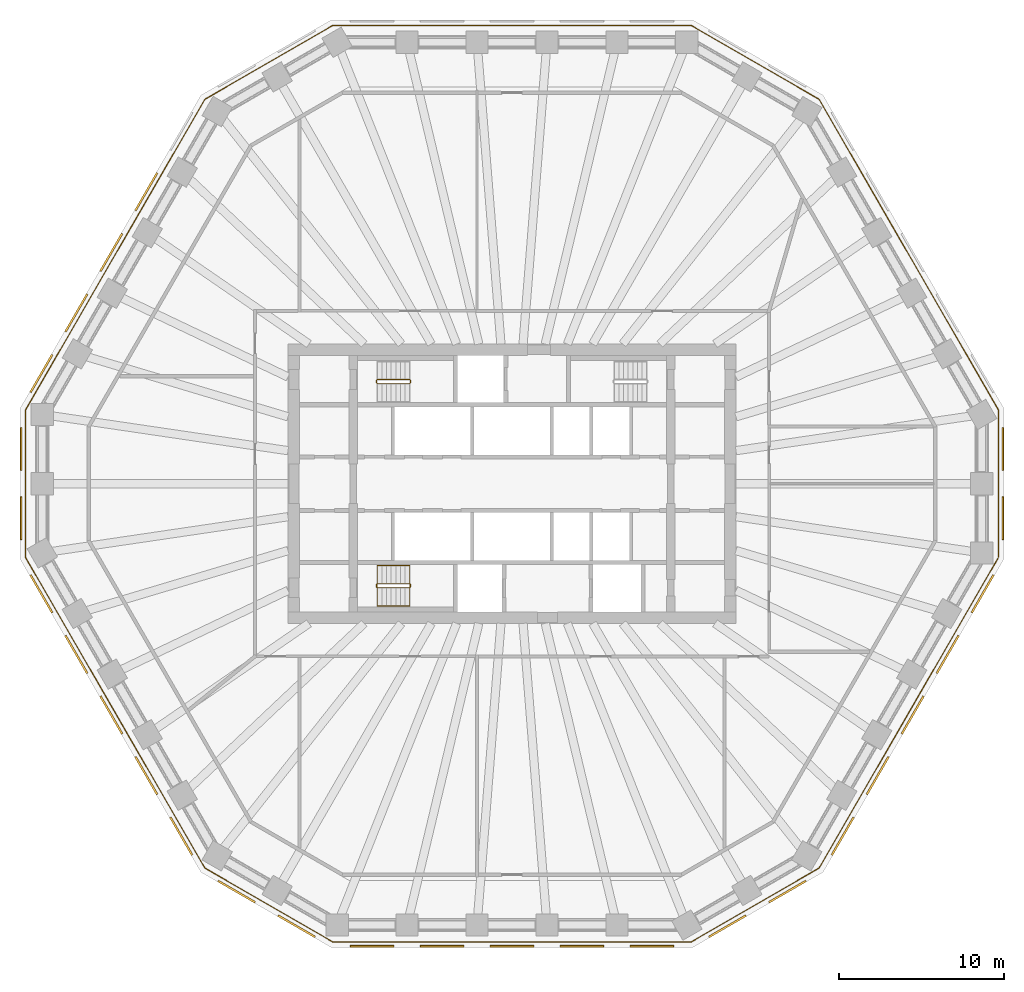
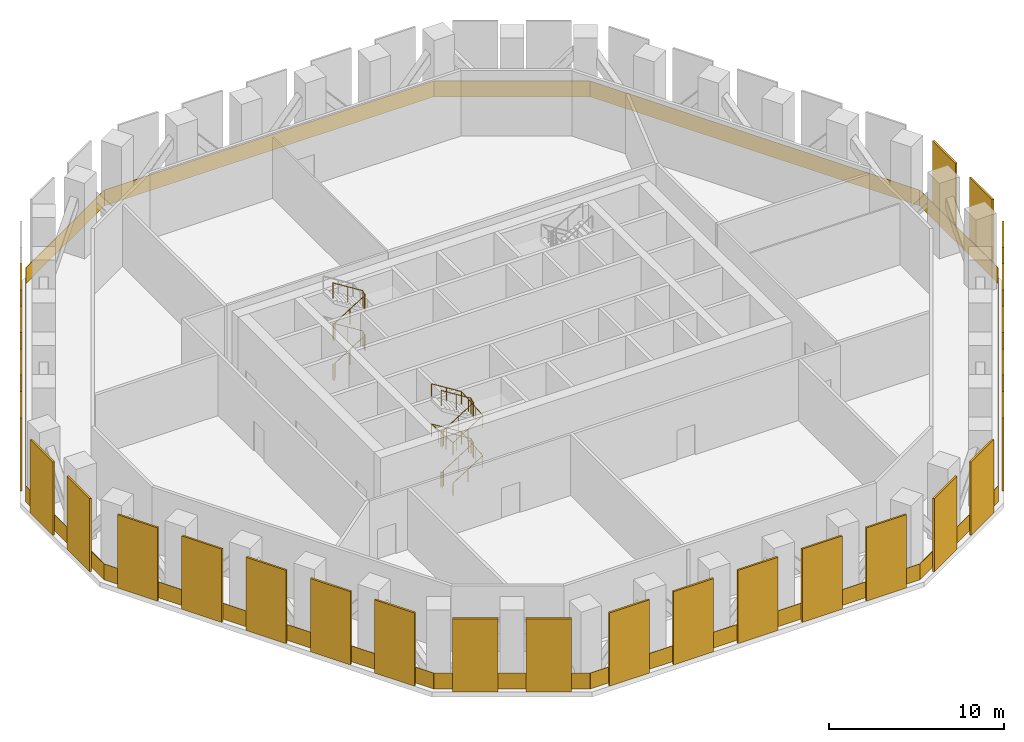
# One storey, part 7 of 8: 27 coverings, 4 railings.
"""IFC4 building model written with IfcOpenShell, lengths in metres."""

from ifc_helpers import new_model, si_unit, direction, frame, origin, origin_2d, place, context, subcontext, project, spatial, polyline, rectangle, circle, outline, extrude, material, layer, layer_set, type_object, element, save


model = new_model("IFC4")

# Units and contexts
model_context = context("Model", 3, precision=1e-05, world=origin(), true_north=direction((0.0, 1.0)))
body_context = subcontext(model_context, "Body", "Model", "MODEL_VIEW")
ifc_project = project(units=[si_unit("LENGTHUNIT", "METRE"), si_unit("AREAUNIT", "SQUARE_METRE"), si_unit("VOLUMEUNIT", "CUBIC_METRE"), si_unit("PLANEANGLEUNIT", "RADIAN"), si_unit("MASSUNIT", "GRAM", prefix="KILO")], contexts=[model_context])

# Site, building, storey
site_placement = place(None, origin())
site = spatial("IfcSite", under=ifc_project, at=site_placement, CompositionType="ELEMENT")
building_placement = place(site_placement, origin())
building = spatial("IfcBuilding", under=site, at=building_placement, Name="Frailejon Research Tower", CompositionType="ELEMENT")
storey_placement = place(building_placement, frame((0.0, 0.0, 139.60009765625)))
storey = spatial("IfcBuildingStorey", under=building, at=storey_placement, Name="L30", CompositionType="ELEMENT", Elevation=139.60009765625)

# Railing
ifc_material_1 = material(Name="Laminated glass balustrade", Category="glass")
railing_type_1 = type_object("IfcRailingType", Name="Glass guard 1100", PredefinedType="GUARDRAIL", material=ifc_material_1)
railing_1_placement = place(storey_placement, frame((29.427490234375, -4.45947265625, 0.0)))
element("IfcRailing", 1, at=railing_1_placement, inside=storey, type_object=railing_type_1, Name="Plant gallery guard L30", PredefinedType="GUARDRAIL", context=body_context, shape_type="SweptSolid", body=[
    extrude(rectangle(XDim=8.9189453125, YDim=0.030029296875, at=origin_2d()), frame((0.0, 4.45947265625, 0.0), z_axis=(0.0, 0.0, 1.0), x_axis=(0.0, 1.0, 0.0)), (0.0, 0.0, 1.0), 1.10009765625),
    extrude(rectangle(XDim=21.70361328125, YDim=0.030029296875, at=origin_2d()), frame((-5.42578125, 18.31689453125, 0.0), z_axis=(0.0, 0.0, 1.0), x_axis=(-0.499999641238, 0.866025610916, 0.0)), (0.0, 0.0, 1.0), 1.10009765625),
    extrude(rectangle(XDim=8.918701171875, YDim=0.030029296875, at=origin_2d()), frame((-14.7138671875, 29.9443359375, 0.0), z_axis=(0.0, 0.0, 1.0), x_axis=(-0.866032876802, 0.49998705613, 0.0)), (0.0, 0.0, 1.0), 1.10009765625),
    extrude(rectangle(XDim=21.70361328125, YDim=0.030029296875, at=origin_2d()), frame((-29.427490234375, 32.174072265625, 0.0), z_axis=(0.0, 0.0, 1.0), x_axis=(-1.0, 0.0, 0.0)), (0.0, 0.0, 1.0), 1.10009765625),
    extrude(rectangle(XDim=8.918701171875, YDim=0.030029296875, at=origin_2d()), frame((-44.14111328125, 29.9443359375, 0.0), z_axis=(0.0, 0.0, 1.0), x_axis=(-0.866032876802, -0.49998705613, 0.0)), (0.0, 0.0, 1.0), 1.10009765625),
    extrude(rectangle(XDim=21.70361328125, YDim=0.030029296875, at=origin_2d()), frame((-53.42919921875, 18.31689453125, 0.0), z_axis=(0.0, 0.0, 1.0), x_axis=(-0.499999641238, -0.866025610916, 0.0)), (0.0, 0.0, 1.0), 1.10009765625),
    extrude(rectangle(XDim=8.9189453125, YDim=0.030029296875, at=origin_2d()), frame((-58.85498046875, 4.45947265625, 0.0), z_axis=(0.0, 0.0, 1.0), x_axis=(0.0, -1.0, 0.0)), (0.0, 0.0, 1.0), 1.10009765625),
    extrude(rectangle(XDim=21.70361328125, YDim=0.030029296875, at=origin_2d()), frame((-53.42919921875, -9.39794921875, 0.0), z_axis=(0.0, 0.0, 1.0), x_axis=(0.499999641238, -0.866025610916, 0.0)), (0.0, 0.0, 1.0), 1.10009765625),
    extrude(rectangle(XDim=8.918701171875, YDim=0.030029296875, at=origin_2d()), frame((-44.14111328125, -21.025390625, 0.0), z_axis=(0.0, 0.0, 1.0), x_axis=(0.866032876802, -0.49998705613, 0.0)), (0.0, 0.0, 1.0), 1.10009765625),
    extrude(rectangle(XDim=21.70361328125, YDim=0.030029296875, at=origin_2d()), frame((-29.427490234375, -23.255126953125, 0.0), z_axis=(0.0, 0.0, 1.0), x_axis=(1.0, 0.0, 0.0)), (0.0, 0.0, 1.0), 1.10009765625),
    extrude(rectangle(XDim=8.918701171875, YDim=0.030029296875, at=origin_2d()), frame((-14.7138671875, -21.025390625, 0.0), z_axis=(0.0, 0.0, 1.0), x_axis=(0.866032876802, 0.49998705613, 0.0)), (0.0, 0.0, 1.0), 1.10009765625),
    extrude(rectangle(XDim=21.6337890625, YDim=0.030029296875, at=origin_2d()), frame((-5.443359375, -9.42822265625, 0.0), z_axis=(0.0, 0.0, 1.0), x_axis=(0.500001187841, 0.866024717983, 0.0)), (0.0, 0.0, 1.0), 1.10009765625),
])

# Coverings
ifc_material_2 = material(Name="Anodised aluminium louvres", Category="aluminium")
ifc_layer = layer(ifc_material_2, 0.1201171875)
ifc_layer_set = layer_set([ifc_layer], Name="Plant louvre screen 120")
covering_type = type_object("IfcCoveringType", Name="Plant louvre screen 120", PredefinedType="CLADDING", material=ifc_layer_set)
for number, where, z_axis, x_axis, name in (
    (2, (29.7626953125, -0.800048828125, 0.0), (0.0, -1.0, 0.0), (1.0, 0.0, 0.0), "Plant louvre screen L30"),
    (3, (29.7626953125, 3.3876953125, 0.0), (0.0, -1.0, 0.0), (1.0, 0.0, 0.0), "Plant louvre screen L30"),
):
    element("IfcCovering", number, at=place(storey_placement, frame(where, z_axis=z_axis, x_axis=x_axis)), inside=storey, type_object=covering_type, Name=name, PredefinedType="CLADDING", context=body_context, shape_type="SweptSolid", body=[
        extrude(outline(polyline([(-0.1201171875, 0.0), (0.0, 0.0), (0.0, 5.10009765625), (-0.1201171875, 5.10009765625), (-0.1201171875, 0.0)])), origin(), (0.0, 0.0, 1.0), 2.587646484375),
    ])
for number, where, z_axis, x_axis, name in (
    (4, (-22.833984375, 16.55029296875, 0.0), (0.500001996169, 0.866024251293, 0.0), (-0.866024251293, 0.500001996169, 0.0), "Plant louvre screen L30"),
    (5, (-24.949951171875, 12.88525390625, 0.0), (0.500001996169, 0.866024251293, 0.0), (-0.866024251293, 0.500001996169, 0.0), "Plant louvre screen L30"),
):
    element("IfcCovering", number, at=place(storey_placement, frame(where, z_axis=z_axis, x_axis=x_axis)), inside=storey, type_object=covering_type, Name=name, PredefinedType="CLADDING", context=body_context, shape_type="SweptSolid", body=[
        extrude(outline(polyline([(-0.1201171875, 0.0), (0.0, 0.0), (0.0, 5.10009765625), (-0.1201171875, 5.10009765625), (-0.1201171875, 0.0)])), origin(), (0.0, 0.0, 1.0), 2.632080078125),
    ])
for number, where, z_axis, x_axis, name in (
    (6, (-27.06591796875, 9.22021484375, 0.0), (0.499984274002, 0.866034483003, 0.0), (-0.866034483003, 0.499984274002, 0.0), "Plant louvre screen L30"),
    (7, (-29.181884765625, 5.555419921875, 0.0), (0.500012227926, 0.866018343873, 0.0), (-0.866018343873, 0.500012227926, 0.0), "Plant louvre screen L30"),
):
    element("IfcCovering", number, at=place(storey_placement, frame(where, z_axis=z_axis, x_axis=x_axis)), inside=storey, type_object=covering_type, Name=name, PredefinedType="CLADDING", context=body_context, shape_type="SweptSolid", body=[
        extrude(outline(polyline([(-0.1201171875, 0.0), (0.0, 0.0), (0.0, 5.10009765625), (-0.1201171875, 5.10009765625), (-0.1201171875, 0.0)])), origin(), (0.0, 0.0, 1.0), 2.6318359375),
    ])
for number, where, z_axis, x_axis, name in (
    (8, (-29.7626953125, 0.800048828125, 0.0), (0.0, 1.0, 0.0), (-1.0, 0.0, 0.0), "Plant louvre screen L30"),
    (9, (-29.7626953125, -3.3876953125, 0.0), (0.0, 1.0, 0.0), (-1.0, 0.0, 0.0), "Plant louvre screen L30"),
):
    element("IfcCovering", number, at=place(storey_placement, frame(where, z_axis=z_axis, x_axis=x_axis)), inside=storey, type_object=covering_type, Name=name, PredefinedType="CLADDING", context=body_context, shape_type="SweptSolid", body=[
        extrude(outline(polyline([(-0.1201171875, 0.0), (0.0, 0.0), (0.0, 5.10009765625), (-0.1201171875, 5.10009765625), (-0.1201171875, 0.0)])), origin(), (0.0, 0.0, 1.0), 2.587646484375),
    ])
for number, where, z_axis, x_axis, name in (
    (10, (-27.865966796875, -7.834716796875, 0.0), (-0.500012227926, 0.866018343873, 0.0), (-0.866018343873, -0.500012227926, 0.0), "Plant louvre screen L30"),
    (11, (-25.75, -11.499755859375, 0.0), (-0.499984274002, 0.866034483003, 0.0), (-0.866034483003, -0.499984274002, 0.0), "Plant louvre screen L30"),
):
    element("IfcCovering", number, at=place(storey_placement, frame(where, z_axis=z_axis, x_axis=x_axis)), inside=storey, type_object=covering_type, Name=name, PredefinedType="CLADDING", context=body_context, shape_type="SweptSolid", body=[
        extrude(outline(polyline([(-0.1201171875, 0.0), (0.0, 0.0), (0.0, 5.10009765625), (-0.1201171875, 5.10009765625), (-0.1201171875, 0.0)])), origin(), (0.0, 0.0, 1.0), 2.6318359375),
    ])
for number, where, z_axis, x_axis, name in (
    (12, (-23.634033203125, -15.164794921875, 0.0), (-0.500001996169, 0.866024251293, 0.0), (-0.866024251293, -0.500001996169, 0.0), "Plant louvre screen L30"),
    (13, (-21.51806640625, -18.82958984375, 0.0), (-0.500001996169, 0.866024251293, 0.0), (-0.866024251293, -0.500001996169, 0.0), "Plant louvre screen L30"),
):
    element("IfcCovering", number, at=place(storey_placement, frame(where, z_axis=z_axis, x_axis=x_axis)), inside=storey, type_object=covering_type, Name=name, PredefinedType="CLADDING", context=body_context, shape_type="SweptSolid", body=[
        extrude(outline(polyline([(-0.1201171875, 0.0), (0.0, 0.0), (0.0, 5.10009765625), (-0.1201171875, 5.10009765625), (-0.1201171875, 0.0)])), origin(), (0.0, 0.0, 1.0), 2.632080078125),
    ])
covering_1_placement = place(storey_placement, frame((-19.402099609375, -22.49462890625, 0.0), z_axis=(-0.500012227926, 0.866018343873, 0.0), x_axis=(-0.866018343873, -0.500012227926, 0.0)))
element("IfcCovering", 14, at=covering_1_placement, inside=storey, type_object=covering_type, Name="Plant louvre screen L30", PredefinedType="CLADDING", context=body_context, shape_type="SweptSolid", body=[
    extrude(outline(polyline([(-0.1201171875, 0.0), (0.0, 0.0), (0.0, 5.10009765625), (-0.1201171875, 5.10009765625), (-0.1201171875, 0.0)])), origin(), (0.0, 0.0, 1.0), 2.6318359375),
])
for number, where, z_axis, x_axis, name in (
    (15, (-15.57421875, -25.375244140625, 0.0), (-0.866021344981, 0.500007029989, 0.0), (-0.500007029989, -0.866021344981, 0.0), "Plant louvre screen L30"),
    (16, (-11.94775390625, -27.468994140625, 0.0), (-0.866021344981, 0.500007029989, 0.0), (-0.500007029989, -0.866021344981, 0.0), "Plant louvre screen L30"),
):
    element("IfcCovering", number, at=place(storey_placement, frame(where, z_axis=z_axis, x_axis=x_axis)), inside=storey, type_object=covering_type, Name=name, PredefinedType="CLADDING", context=body_context, shape_type="SweptSolid", body=[
        extrude(outline(polyline([(-0.1201171875, 0.0), (0.0, 0.0), (0.0, 5.10009765625), (-0.1201171875, 5.10009765625), (-0.1201171875, 0.0)])), origin(), (0.0, 0.0, 1.0), 2.58740234375),
    ])
covering_2_placement = place(storey_placement, frame((-7.14794921875, -28.050048828125, 0.0), z_axis=(-1.0, 0.0, 0.0), x_axis=(0.0, -1.0, 0.0)))
element("IfcCovering", 17, at=covering_2_placement, inside=storey, type_object=covering_type, Name="Plant louvre screen L30", PredefinedType="CLADDING", context=body_context, shape_type="SweptSolid", body=[
    extrude(outline(polyline([(-0.1201171875, 0.0), (0.0, 0.0), (0.0, 5.10009765625), (-0.1201171875, 5.10009765625), (-0.1201171875, 0.0)])), origin(), (0.0, 0.0, 1.0), 2.632080078125),
])
covering_3_placement = place(storey_placement, frame((-2.916015625, -28.050048828125, 0.0), z_axis=(-1.0, 0.0, 0.0), x_axis=(0.0, -1.0, 0.0)))
element("IfcCovering", 18, at=covering_3_placement, inside=storey, type_object=covering_type, Name="Plant louvre screen L30", PredefinedType="CLADDING", context=body_context, shape_type="SweptSolid", body=[
    extrude(outline(polyline([(-0.1201171875, 0.0), (0.0, 0.0), (0.0, 5.10009765625), (-0.1201171875, 5.10009765625), (-0.1201171875, 0.0)])), origin(), (0.0, 0.0, 1.0), 2.6318359375),
])
covering_4_placement = place(storey_placement, frame((1.31591796875, -28.050048828125, 0.0), z_axis=(-1.0, 0.0, 0.0), x_axis=(0.0, -1.0, 0.0)))
element("IfcCovering", 19, at=covering_4_placement, inside=storey, type_object=covering_type, Name="Plant louvre screen L30", PredefinedType="CLADDING", context=body_context, shape_type="SweptSolid", body=[
    extrude(outline(polyline([(-0.1201171875, 0.0), (0.0, 0.0), (0.0, 5.10009765625), (-0.1201171875, 5.10009765625), (-0.1201171875, 0.0)])), origin(), (0.0, 0.0, 1.0), 2.632080078125),
])
covering_5_placement = place(storey_placement, frame((5.5478515625, -28.050048828125, 0.0), z_axis=(-1.0, 0.0, 0.0), x_axis=(0.0, -1.0, 0.0)))
element("IfcCovering", 20, at=covering_5_placement, inside=storey, type_object=covering_type, Name="Plant louvre screen L30", PredefinedType="CLADDING", context=body_context, shape_type="SweptSolid", body=[
    extrude(outline(polyline([(-0.1201171875, 0.0), (0.0, 0.0), (0.0, 5.10009765625), (-0.1201171875, 5.10009765625), (-0.1201171875, 0.0)])), origin(), (0.0, 0.0, 1.0), 2.6318359375),
])
covering_6_placement = place(storey_placement, frame((9.77978515625, -28.050048828125, 0.0), z_axis=(-1.0, 0.0, 0.0), x_axis=(0.0, -1.0, 0.0)))
element("IfcCovering", 21, at=covering_6_placement, inside=storey, type_object=covering_type, Name="Plant louvre screen L30", PredefinedType="CLADDING", context=body_context, shape_type="SweptSolid", body=[
    extrude(outline(polyline([(-0.1201171875, 0.0), (0.0, 0.0), (0.0, 5.10009765625), (-0.1201171875, 5.10009765625), (-0.1201171875, 0.0)])), origin(), (0.0, 0.0, 1.0), 2.632080078125),
])
for number, where, z_axis, x_axis, name in (
    (22, (14.188720703125, -26.17529296875, 0.0), (-0.866021344981, -0.500007029989, 0.0), (0.500007029989, -0.866021344981, 0.0), "Plant louvre screen L30"),
    (23, (17.815185546875, -24.08154296875, 0.0), (-0.866021344981, -0.500007029989, 0.0), (0.500007029989, -0.866021344981, 0.0), "Plant louvre screen L30"),
):
    element("IfcCovering", number, at=place(storey_placement, frame(where, z_axis=z_axis, x_axis=x_axis)), inside=storey, type_object=covering_type, Name=name, PredefinedType="CLADDING", context=body_context, shape_type="SweptSolid", body=[
        extrude(outline(polyline([(-0.1201171875, 0.0), (0.0, 0.0), (0.0, 5.10009765625), (-0.1201171875, 5.10009765625), (-0.1201171875, 0.0)])), origin(), (0.0, 0.0, 1.0), 2.58740234375),
    ])
covering_7_placement = place(storey_placement, frame((20.718017578125, -20.21533203125, 0.0), z_axis=(-0.500012227926, -0.866018343873, 0.0), x_axis=(0.866018343873, -0.500012227926, 0.0)))
element("IfcCovering", 24, at=covering_7_placement, inside=storey, type_object=covering_type, Name="Plant louvre screen L30", PredefinedType="CLADDING", context=body_context, shape_type="SweptSolid", body=[
    extrude(outline(polyline([(-0.1201171875, 0.0), (0.0, 0.0), (0.0, 5.10009765625), (-0.1201171875, 5.10009765625), (-0.1201171875, 0.0)])), origin(), (0.0, 0.0, 1.0), 2.6318359375),
])
for number, where, z_axis, x_axis, name in (
    (25, (22.833984375, -16.55029296875, 0.0), (-0.500001996169, -0.866024251293, 0.0), (0.866024251293, -0.500001996169, 0.0), "Plant louvre screen L30"),
    (26, (24.949951171875, -12.88525390625, 0.0), (-0.500001996169, -0.866024251293, 0.0), (0.866024251293, -0.500001996169, 0.0), "Plant louvre screen L30"),
):
    element("IfcCovering", number, at=place(storey_placement, frame(where, z_axis=z_axis, x_axis=x_axis)), inside=storey, type_object=covering_type, Name=name, PredefinedType="CLADDING", context=body_context, shape_type="SweptSolid", body=[
        extrude(outline(polyline([(-0.1201171875, 0.0), (0.0, 0.0), (0.0, 5.10009765625), (-0.1201171875, 5.10009765625), (-0.1201171875, 0.0)])), origin(), (0.0, 0.0, 1.0), 2.632080078125),
    ])
for number, where, z_axis, x_axis, name in (
    (27, (27.06591796875, -9.22021484375, 0.0), (-0.499984274002, -0.866034483003, 0.0), (0.866034483003, -0.499984274002, 0.0), "Plant louvre screen L30"),
    (28, (29.181884765625, -5.555419921875, 0.0), (-0.500012227926, -0.866018343873, 0.0), (0.866018343873, -0.500012227926, 0.0), "Plant louvre screen L30"),
):
    element("IfcCovering", number, at=place(storey_placement, frame(where, z_axis=z_axis, x_axis=x_axis)), inside=storey, type_object=covering_type, Name=name, PredefinedType="CLADDING", context=body_context, shape_type="SweptSolid", body=[
        extrude(outline(polyline([(-0.1201171875, 0.0), (0.0, 0.0), (0.0, 5.10009765625), (-0.1201171875, 5.10009765625), (-0.1201171875, 0.0)])), origin(), (0.0, 0.0, 1.0), 2.6318359375),
    ])

# Railings
ifc_material_3 = material(Name="Stainless steel", Category="steel")
railing_type_2 = type_object("IfcRailingType", Name="Stair guard 1100", PredefinedType="GUARDRAIL", material=ifc_material_3)
railing_2_placement = place(storey_placement, frame((-8.199951171875, 6.25, 0.0)))
element("IfcRailing", 29, at=railing_2_placement, inside=storey, type_object=railing_type_2, Name="L30 ST1 stair guard 1", PredefinedType="GUARDRAIL", context=body_context, shape_type="SweptSolid", body=[
    extrude(circle(Radius=0.02392578125, at=origin_2d()), frame((0.0, 0.0, 1.076171875), z_axis=(0.0, -1.0, 0.0), x_axis=(1.0, 0.0, 0.0)), (0.0, 0.0, 1.0), 0.14990234375),
    extrude(circle(Radius=0.02392578125, at=origin_2d()), frame((0.0, -0.14990234375, 1.076171875), z_axis=(0.265383341853, -0.265383341853, 0.926899867156), x_axis=(0.707106781187, 0.707106781187, 0.0)), (0.0, 0.0, 1.0), 0.1884765625),
    extrude(circle(Radius=0.02392578125, at=origin_2d()), frame((0.050048828125, -0.199951171875, 1.2509765625), z_axis=(0.847974566722, 0.0, 0.530036917764), x_axis=(0.0, 1.0, 0.0)), (0.0, 0.0, 1.0), 2.311279296875),
    extrude(circle(Radius=0.02392578125, at=origin_2d()), frame((2.010009765625, -0.199951171875, 2.47607421875), z_axis=(0.707106781187, 0.707106781187, 0.0), x_axis=(-0.707106781187, 0.707106781187, 0.0)), (0.0, 0.0, 1.0), 0.07080078125),
    extrude(circle(Radius=0.02392578125, at=origin_2d()), frame((2.06005859375, -0.14990234375, 2.47607421875), z_axis=(0.0, 1.0, 0.0), x_axis=(-1.0, 0.0, 0.0)), (0.0, 0.0, 1.0), 0.14990234375),
    extrude(circle(Radius=0.02392578125, at=origin_2d()), frame((2.06005859375, 0.0, 2.47607421875), z_axis=(-0.265065253269, 0.265065253269, 0.927081885822), x_axis=(-0.707106781187, -0.707106781187, 0.0)), (0.0, 0.0, 1.0), 0.188720703125),
    extrude(circle(Radius=0.02392578125, at=origin_2d()), frame((2.010009765625, 0.050048828125, 2.65087890625), z_axis=(-0.848022040916, 0.0, 0.529960959053), x_axis=(0.0, -1.0, 0.0)), (0.0, 0.0, 1.0), 2.311279296875),
    extrude(circle(Radius=0.02392578125, at=origin_2d()), frame((0.050048828125, 0.050048828125, 3.8759765625), z_axis=(-0.707106781187, -0.707106781187, 0.0), x_axis=(0.707106781187, -0.707106781187, 0.0)), (0.0, 0.0, 1.0), 0.07080078125),
    extrude(circle(Radius=0.02392578125, at=origin_2d()), frame((0.0, 0.0, 3.8759765625), z_axis=(0.0, -1.0, 0.0), x_axis=(1.0, 0.0, 0.0)), (0.0, 0.0, 1.0), 0.14990234375),
    extrude(circle(Radius=0.02392578125, at=origin_2d()), frame((0.0, -0.14990234375, 3.8759765625), z_axis=(0.265065253269, -0.265065253269, 0.927081885822), x_axis=(0.707106781187, 0.707106781187, 0.0)), (0.0, 0.0, 1.0), 0.188720703125),
    extrude(circle(Radius=0.02392578125, at=origin_2d()), frame((0.050048828125, -0.199951171875, 4.05078125), z_axis=(0.847974566722, 0.0, 0.530036917764), x_axis=(0.0, 1.0, 0.0)), (0.0, 0.0, 1.0), 2.311279296875),
    extrude(circle(Radius=0.02392578125, at=origin_2d()), frame((2.010009765625, -0.199951171875, 5.27587890625), z_axis=(0.707106781187, 0.707106781187, 0.0), x_axis=(-0.707106781187, 0.707106781187, 0.0)), (0.0, 0.0, 1.0), 0.07080078125),
    extrude(circle(Radius=0.02392578125, at=origin_2d()), frame((2.06005859375, -0.14990234375, 5.27587890625), z_axis=(0.0, 1.0, 0.0), x_axis=(-1.0, 0.0, 0.0)), (0.0, 0.0, 1.0), 0.14990234375),
    extrude(circle(Radius=0.02392578125, at=origin_2d()), frame((2.06005859375, 0.0, 5.27587890625), z_axis=(-0.265065253269, 0.265065253269, 0.927081885822), x_axis=(-0.707106781187, -0.707106781187, 0.0)), (0.0, 0.0, 1.0), 0.188720703125),
    extrude(circle(Radius=0.02392578125, at=origin_2d()), frame((2.010009765625, 0.050048828125, 5.451171875), z_axis=(-0.848022040916, 0.0, 0.529960959053), x_axis=(0.0, -1.0, 0.0)), (0.0, 0.0, 1.0), 2.311279296875),
    extrude(circle(Radius=0.02099609375, at=origin_2d()), origin(), (0.0, 0.0, 1.0), 1.052001953125),
    extrude(circle(Radius=0.02099609375, at=origin_2d()), frame((0.0, -0.14990234375, 0.0)), (0.0, 0.0, 1.0), 1.052001953125),
    extrude(circle(Radius=0.02099609375, at=origin_2d()), frame((0.050048828125, -0.199951171875, 0.1748046875)), (0.0, 0.0, 1.0), 1.052001953125),
    extrude(circle(Radius=0.02099609375, at=origin_2d()), frame((1.030029296875, -0.199951171875, 0.787353515625)), (0.0, 0.0, 1.0), 1.052001953125),
    extrude(circle(Radius=0.02099609375, at=origin_2d()), frame((2.010009765625, -0.199951171875, 1.39990234375)), (0.0, 0.0, 1.0), 1.052001953125),
    extrude(circle(Radius=0.02099609375, at=origin_2d()), frame((2.06005859375, -0.14990234375, 1.39990234375)), (0.0, 0.0, 1.0), 1.052001953125),
    extrude(circle(Radius=0.02099609375, at=origin_2d()), frame((2.06005859375, 0.0, 1.39990234375)), (0.0, 0.0, 1.0), 1.052001953125),
    extrude(circle(Radius=0.02099609375, at=origin_2d()), frame((2.010009765625, 0.050048828125, 1.574951171875)), (0.0, 0.0, 1.0), 1.052001953125),
    extrude(circle(Radius=0.02099609375, at=origin_2d()), frame((1.030029296875, 0.050048828125, 2.1875)), (0.0, 0.0, 1.0), 1.052001953125),
    extrude(circle(Radius=0.02099609375, at=origin_2d()), frame((0.050048828125, 0.050048828125, 2.7998046875)), (0.0, 0.0, 1.0), 1.052001953125),
    extrude(circle(Radius=0.02099609375, at=origin_2d()), frame((0.0, 0.0, 2.7998046875)), (0.0, 0.0, 1.0), 1.052001953125),
    extrude(circle(Radius=0.02099609375, at=origin_2d()), frame((0.0, -0.14990234375, 2.7998046875)), (0.0, 0.0, 1.0), 1.052001953125),
    extrude(circle(Radius=0.02099609375, at=origin_2d()), frame((0.050048828125, -0.199951171875, 2.974853515625)), (0.0, 0.0, 1.0), 1.052001953125),
    extrude(circle(Radius=0.02099609375, at=origin_2d()), frame((1.030029296875, -0.199951171875, 3.58740234375)), (0.0, 0.0, 1.0), 1.052001953125),
    extrude(circle(Radius=0.02099609375, at=origin_2d()), frame((2.010009765625, -0.199951171875, 4.199951171875)), (0.0, 0.0, 1.0), 1.052001953125),
    extrude(circle(Radius=0.02099609375, at=origin_2d()), frame((2.06005859375, -0.14990234375, 4.199951171875)), (0.0, 0.0, 1.0), 1.052001953125),
    extrude(circle(Radius=0.02099609375, at=origin_2d()), frame((2.06005859375, 0.0, 4.199951171875)), (0.0, 0.0, 1.0), 1.052001953125),
    extrude(circle(Radius=0.02099609375, at=origin_2d()), frame((2.010009765625, 0.050048828125, 4.375)), (0.0, 0.0, 1.0), 1.052001953125),
    extrude(circle(Radius=0.02099609375, at=origin_2d()), frame((1.030029296875, 0.050048828125, 4.9873046875)), (0.0, 0.0, 1.0), 1.052001953125),
    extrude(circle(Radius=0.02099609375, at=origin_2d()), frame((0.050048828125, 0.050048828125, 5.599853515625)), (0.0, 0.0, 1.0), 1.052001953125),
])
railing_3_placement = place(storey_placement, frame((-8.199951171875, -6.10009765625, 0.0)))
element("IfcRailing", 30, at=railing_3_placement, inside=storey, type_object=railing_type_2, Name="L30 ST2 stair guard 1", PredefinedType="GUARDRAIL", context=body_context, shape_type="SweptSolid", body=[
    extrude(circle(Radius=0.02392578125, at=origin_2d()), frame((0.0, 0.0, 1.076171875), z_axis=(0.0, -1.0, 0.0), x_axis=(1.0, 0.0, 0.0)), (0.0, 0.0, 1.0), 0.14990234375),
    extrude(circle(Radius=0.02392578125, at=origin_2d()), frame((0.0, -0.14990234375, 1.076171875), z_axis=(0.265383341853, -0.265383341853, 0.926899867156), x_axis=(0.707106781187, 0.707106781187, 0.0)), (0.0, 0.0, 1.0), 0.1884765625),
    extrude(circle(Radius=0.02392578125, at=origin_2d()), frame((0.050048828125, -0.199951171875, 1.2509765625), z_axis=(0.847974566722, 0.0, 0.530036917764), x_axis=(0.0, 1.0, 0.0)), (0.0, 0.0, 1.0), 2.311279296875),
    extrude(circle(Radius=0.02392578125, at=origin_2d()), frame((2.010009765625, -0.199951171875, 2.47607421875), z_axis=(0.707106781187, 0.707106781187, 0.0), x_axis=(-0.707106781187, 0.707106781187, 0.0)), (0.0, 0.0, 1.0), 0.07080078125),
    extrude(circle(Radius=0.02392578125, at=origin_2d()), frame((2.06005859375, -0.14990234375, 2.47607421875), z_axis=(0.0, 1.0, 0.0), x_axis=(-1.0, 0.0, 0.0)), (0.0, 0.0, 1.0), 0.14990234375),
    extrude(circle(Radius=0.02392578125, at=origin_2d()), frame((2.06005859375, 0.0, 2.47607421875), z_axis=(-0.265065253269, 0.265065253269, 0.927081885822), x_axis=(-0.707106781187, -0.707106781187, 0.0)), (0.0, 0.0, 1.0), 0.188720703125),
    extrude(circle(Radius=0.02392578125, at=origin_2d()), frame((2.010009765625, 0.050048828125, 2.65087890625), z_axis=(-0.848022040916, 0.0, 0.529960959053), x_axis=(0.0, -1.0, 0.0)), (0.0, 0.0, 1.0), 2.311279296875),
    extrude(circle(Radius=0.02392578125, at=origin_2d()), frame((0.050048828125, 0.050048828125, 3.8759765625), z_axis=(-0.707106781187, -0.707106781187, 0.0), x_axis=(0.707106781187, -0.707106781187, 0.0)), (0.0, 0.0, 1.0), 0.07080078125),
    extrude(circle(Radius=0.02392578125, at=origin_2d()), frame((0.0, 0.0, 3.8759765625), z_axis=(0.0, -1.0, 0.0), x_axis=(1.0, 0.0, 0.0)), (0.0, 0.0, 1.0), 0.14990234375),
    extrude(circle(Radius=0.02392578125, at=origin_2d()), frame((0.0, -0.14990234375, 3.8759765625), z_axis=(0.265065253269, -0.265065253269, 0.927081885822), x_axis=(0.707106781187, 0.707106781187, 0.0)), (0.0, 0.0, 1.0), 0.188720703125),
    extrude(circle(Radius=0.02392578125, at=origin_2d()), frame((0.050048828125, -0.199951171875, 4.05078125), z_axis=(0.847974566722, 0.0, 0.530036917764), x_axis=(0.0, 1.0, 0.0)), (0.0, 0.0, 1.0), 2.311279296875),
    extrude(circle(Radius=0.02392578125, at=origin_2d()), frame((2.010009765625, -0.199951171875, 5.27587890625), z_axis=(0.707106781187, 0.707106781187, 0.0), x_axis=(-0.707106781187, 0.707106781187, 0.0)), (0.0, 0.0, 1.0), 0.07080078125),
    extrude(circle(Radius=0.02392578125, at=origin_2d()), frame((2.06005859375, -0.14990234375, 5.27587890625), z_axis=(0.0, 1.0, 0.0), x_axis=(-1.0, 0.0, 0.0)), (0.0, 0.0, 1.0), 0.14990234375),
    extrude(circle(Radius=0.02392578125, at=origin_2d()), frame((2.06005859375, 0.0, 5.27587890625), z_axis=(-0.265065253269, 0.265065253269, 0.927081885822), x_axis=(-0.707106781187, -0.707106781187, 0.0)), (0.0, 0.0, 1.0), 0.188720703125),
    extrude(circle(Radius=0.02392578125, at=origin_2d()), frame((2.010009765625, 0.050048828125, 5.451171875), z_axis=(-0.848022040916, 0.0, 0.529960959053), x_axis=(0.0, -1.0, 0.0)), (0.0, 0.0, 1.0), 2.311279296875),
    extrude(circle(Radius=0.02099609375, at=origin_2d()), origin(), (0.0, 0.0, 1.0), 1.052001953125),
    extrude(circle(Radius=0.02099609375, at=origin_2d()), frame((0.0, -0.14990234375, 0.0)), (0.0, 0.0, 1.0), 1.052001953125),
    extrude(circle(Radius=0.02099609375, at=origin_2d()), frame((0.050048828125, -0.199951171875, 0.1748046875)), (0.0, 0.0, 1.0), 1.052001953125),
    extrude(circle(Radius=0.02099609375, at=origin_2d()), frame((1.030029296875, -0.199951171875, 0.787353515625)), (0.0, 0.0, 1.0), 1.052001953125),
    extrude(circle(Radius=0.02099609375, at=origin_2d()), frame((2.010009765625, -0.199951171875, 1.39990234375)), (0.0, 0.0, 1.0), 1.052001953125),
    extrude(circle(Radius=0.02099609375, at=origin_2d()), frame((2.06005859375, -0.14990234375, 1.39990234375)), (0.0, 0.0, 1.0), 1.052001953125),
    extrude(circle(Radius=0.02099609375, at=origin_2d()), frame((2.06005859375, 0.0, 1.39990234375)), (0.0, 0.0, 1.0), 1.052001953125),
    extrude(circle(Radius=0.02099609375, at=origin_2d()), frame((2.010009765625, 0.050048828125, 1.574951171875)), (0.0, 0.0, 1.0), 1.052001953125),
    extrude(circle(Radius=0.02099609375, at=origin_2d()), frame((1.030029296875, 0.050048828125, 2.1875)), (0.0, 0.0, 1.0), 1.052001953125),
    extrude(circle(Radius=0.02099609375, at=origin_2d()), frame((0.050048828125, 0.050048828125, 2.7998046875)), (0.0, 0.0, 1.0), 1.052001953125),
    extrude(circle(Radius=0.02099609375, at=origin_2d()), frame((0.0, 0.0, 2.7998046875)), (0.0, 0.0, 1.0), 1.052001953125),
    extrude(circle(Radius=0.02099609375, at=origin_2d()), frame((0.0, -0.14990234375, 2.7998046875)), (0.0, 0.0, 1.0), 1.052001953125),
    extrude(circle(Radius=0.02099609375, at=origin_2d()), frame((0.050048828125, -0.199951171875, 2.974853515625)), (0.0, 0.0, 1.0), 1.052001953125),
    extrude(circle(Radius=0.02099609375, at=origin_2d()), frame((1.030029296875, -0.199951171875, 3.58740234375)), (0.0, 0.0, 1.0), 1.052001953125),
    extrude(circle(Radius=0.02099609375, at=origin_2d()), frame((2.010009765625, -0.199951171875, 4.199951171875)), (0.0, 0.0, 1.0), 1.052001953125),
    extrude(circle(Radius=0.02099609375, at=origin_2d()), frame((2.06005859375, -0.14990234375, 4.199951171875)), (0.0, 0.0, 1.0), 1.052001953125),
    extrude(circle(Radius=0.02099609375, at=origin_2d()), frame((2.06005859375, 0.0, 4.199951171875)), (0.0, 0.0, 1.0), 1.052001953125),
    extrude(circle(Radius=0.02099609375, at=origin_2d()), frame((2.010009765625, 0.050048828125, 4.375)), (0.0, 0.0, 1.0), 1.052001953125),
    extrude(circle(Radius=0.02099609375, at=origin_2d()), frame((1.030029296875, 0.050048828125, 4.9873046875)), (0.0, 0.0, 1.0), 1.052001953125),
    extrude(circle(Radius=0.02099609375, at=origin_2d()), frame((0.050048828125, 0.050048828125, 5.599853515625)), (0.0, 0.0, 1.0), 1.052001953125),
])
ifc_material_4 = material(Name="Stainless steel", Category="steel")
railing_type_3 = type_object("IfcRailingType", Name="Stair handrail 900", PredefinedType="HANDRAIL", material=ifc_material_4)
railing_4_placement = place(storey_placement, frame((-8.14990234375, -7.39990234375, 0.1748046875)))
element("IfcRailing", 31, at=railing_4_placement, inside=storey, type_object=railing_type_3, Name="L30 ST2 stair handrail 1", PredefinedType="HANDRAIL", context=body_context, shape_type="SweptSolid", body=[
    extrude(circle(Radius=0.02392578125, at=origin_2d()), frame((0.0, 0.0, 0.8759765625), z_axis=(0.847974566722, 0.0, 0.530036917764), x_axis=(0.0, 1.0, 0.0)), (0.0, 0.0, 1.0), 2.311279296875),
    extrude(circle(Radius=0.02392578125, at=origin_2d()), frame((1.9599609375, 0.0, 2.10107421875), z_axis=(0.0, 0.997457185933, 0.071268241387), x_axis=(-1.0, 0.0, 0.0)), (0.0, 0.0, 1.0), 2.456298828125),
    extrude(circle(Radius=0.02392578125, at=origin_2d()), frame((1.9599609375, 2.449951171875, 2.27587890625), z_axis=(-0.848022040916, 0.0, 0.529960959053), x_axis=(0.0, -1.0, 0.0)), (0.0, 0.0, 1.0), 2.311279296875),
    extrude(circle(Radius=0.02392578125, at=origin_2d()), frame((0.0, 2.449951171875, 3.5009765625), z_axis=(0.0, -0.997457185933, 0.071268241387), x_axis=(1.0, 0.0, 0.0)), (0.0, 0.0, 1.0), 2.456298828125),
    extrude(circle(Radius=0.02392578125, at=origin_2d()), frame((0.0, 0.0, 3.67578125), z_axis=(0.847974566722, 0.0, 0.530036917764), x_axis=(0.0, 1.0, 0.0)), (0.0, 0.0, 1.0), 2.311279296875),
    extrude(circle(Radius=0.02392578125, at=origin_2d()), frame((1.9599609375, 0.0, 4.90087890625), z_axis=(0.0, 0.997457185933, 0.071268241387), x_axis=(-1.0, 0.0, 0.0)), (0.0, 0.0, 1.0), 2.456298828125),
    extrude(circle(Radius=0.02392578125, at=origin_2d()), frame((1.9599609375, 2.449951171875, 5.076171875), z_axis=(-0.848022040916, 0.0, 0.529960959053), x_axis=(0.0, -1.0, 0.0)), (0.0, 0.0, 1.0), 2.311279296875),
    extrude(circle(Radius=0.02099609375, at=origin_2d()), origin(), (0.0, 0.0, 1.0), 0.851806640625),
    extrude(circle(Radius=0.02099609375, at=origin_2d()), frame((0.97998046875, 0.0, 0.612548828125)), (0.0, 0.0, 1.0), 0.851806640625),
    extrude(circle(Radius=0.02099609375, at=origin_2d()), frame((1.9599609375, 0.0, 1.22509765625)), (0.0, 0.0, 1.0), 0.851806640625),
    extrude(circle(Radius=0.02099609375, at=origin_2d()), frame((1.9599609375, 0.816650390625, 1.283447265625)), (0.0, 0.0, 1.0), 0.851806640625),
    extrude(circle(Radius=0.02099609375, at=origin_2d()), frame((1.9599609375, 1.63330078125, 1.341796875)), (0.0, 0.0, 1.0), 0.851806640625),
    extrude(circle(Radius=0.02099609375, at=origin_2d()), frame((1.9599609375, 2.449951171875, 1.400146484375)), (0.0, 0.0, 1.0), 0.851806640625),
    extrude(circle(Radius=0.02099609375, at=origin_2d()), frame((0.97998046875, 2.449951171875, 2.0126953125)), (0.0, 0.0, 1.0), 0.851806640625),
    extrude(circle(Radius=0.02099609375, at=origin_2d()), frame((0.0, 2.449951171875, 2.625)), (0.0, 0.0, 1.0), 0.851806640625),
    extrude(circle(Radius=0.02099609375, at=origin_2d()), frame((0.0, 1.63330078125, 2.683349609375)), (0.0, 0.0, 1.0), 0.851806640625),
    extrude(circle(Radius=0.02099609375, at=origin_2d()), frame((0.0, 0.816650390625, 2.74169921875)), (0.0, 0.0, 1.0), 0.851806640625),
    extrude(circle(Radius=0.02099609375, at=origin_2d()), frame((0.0, 0.0, 2.800048828125)), (0.0, 0.0, 1.0), 0.851806640625),
    extrude(circle(Radius=0.02099609375, at=origin_2d()), frame((0.97998046875, 0.0, 3.41259765625)), (0.0, 0.0, 1.0), 0.851806640625),
    extrude(circle(Radius=0.02099609375, at=origin_2d()), frame((1.9599609375, 0.0, 4.025146484375)), (0.0, 0.0, 1.0), 0.851806640625),
    extrude(circle(Radius=0.02099609375, at=origin_2d()), frame((1.9599609375, 0.816650390625, 4.08349609375)), (0.0, 0.0, 1.0), 0.851806640625),
    extrude(circle(Radius=0.02099609375, at=origin_2d()), frame((1.9599609375, 1.63330078125, 4.141845703125)), (0.0, 0.0, 1.0), 0.851806640625),
    extrude(circle(Radius=0.02099609375, at=origin_2d()), frame((1.9599609375, 2.449951171875, 4.2001953125)), (0.0, 0.0, 1.0), 0.851806640625),
    extrude(circle(Radius=0.02099609375, at=origin_2d()), frame((0.97998046875, 2.449951171875, 4.8125)), (0.0, 0.0, 1.0), 0.851806640625),
    extrude(circle(Radius=0.02099609375, at=origin_2d()), frame((0.0, 2.449951171875, 5.425048828125)), (0.0, 0.0, 1.0), 0.851806640625),
])

save(model, "model.ifc")
